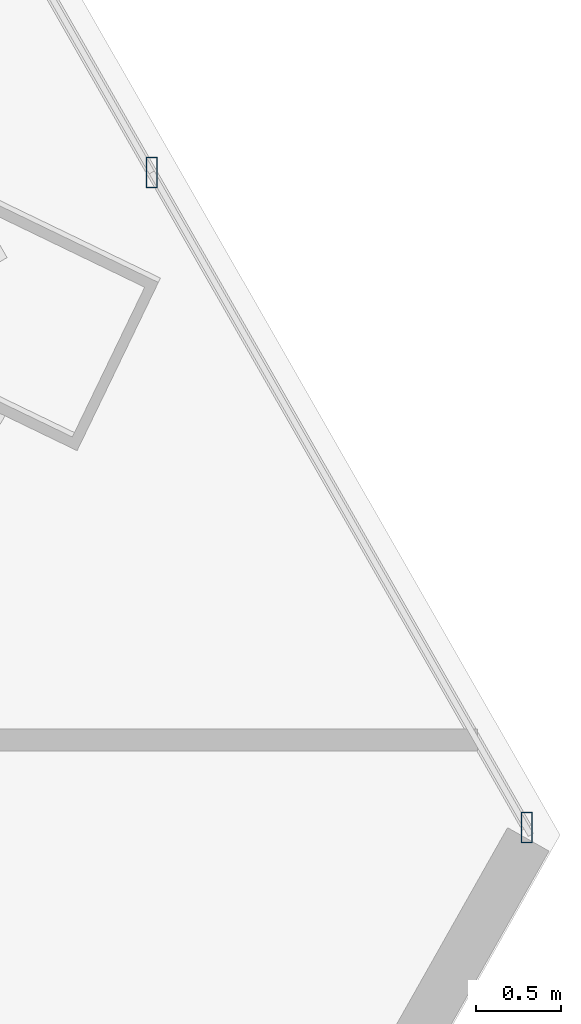
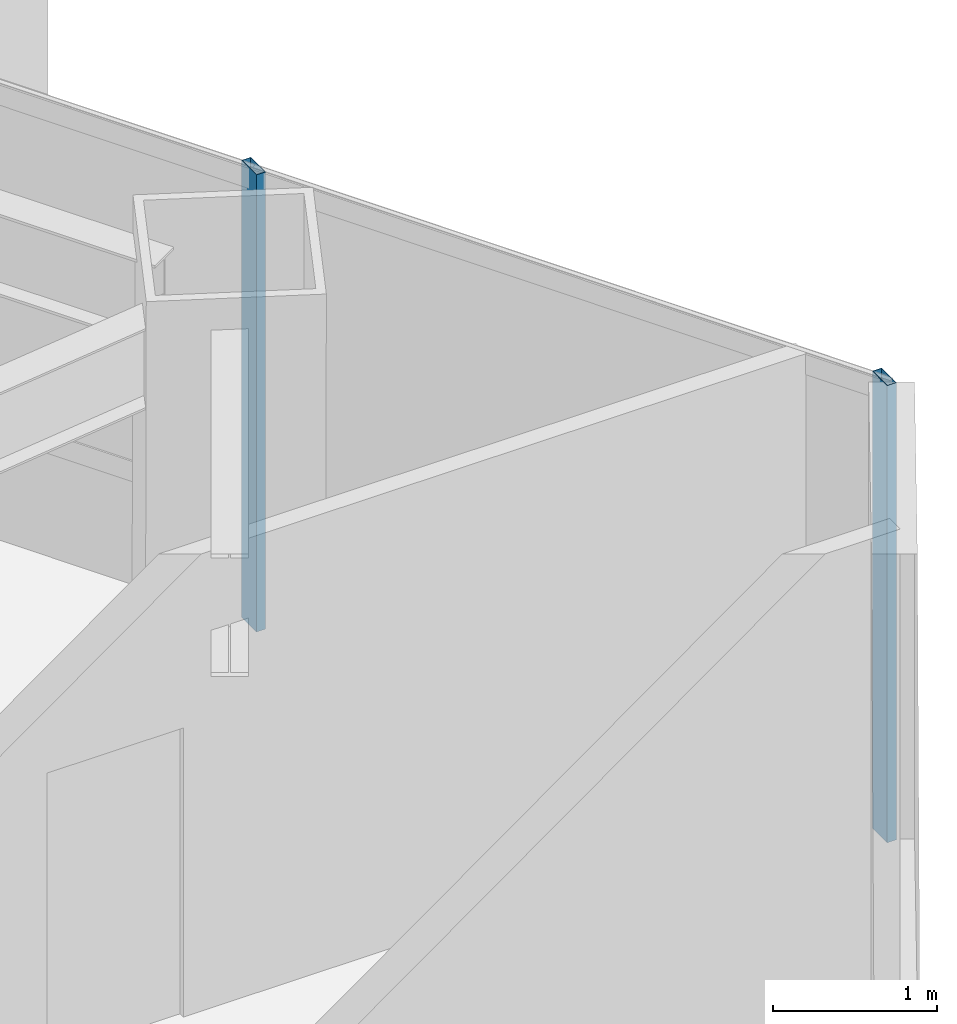
# One storey, part 19 of 35: 2 members, 1 element without a shape of its own.
"""IFC4 building model written with IfcOpenShell, lengths in metres."""

from ifc_helpers import new_model, si_unit, direction, frame, origin, origin_2d, place, context, subcontext, project, spatial, hollow_rectangle, extrude, source, transform, mapped, material, material_profile, profile_set, type_object, type_shapes, element, aggregate, save


model = new_model("IFC4")

# Units and contexts
model_context = context("Model", 3, precision=1e-05, world=origin(), true_north=direction((0.0, 1.0)))
body_context = subcontext(model_context, "Body", "Model", "MODEL_VIEW")
ifc_project = project(units=[si_unit("LENGTHUNIT", "METRE"), si_unit("AREAUNIT", "SQUARE_METRE"), si_unit("VOLUMEUNIT", "CUBIC_METRE"), si_unit("PLANEANGLEUNIT", "RADIAN"), si_unit("MASSUNIT", "GRAM", prefix="KILO")], contexts=[model_context])

# Site, building, storey
site_placement = place(None, origin())
site = spatial("IfcSite", under=ifc_project, at=site_placement, CompositionType="ELEMENT")
building_placement = place(site_placement, origin())
building = spatial("IfcBuilding", under=site, at=building_placement, Name="Caelisora Broadcast Tower", CompositionType="ELEMENT")
storey_placement = place(building_placement, frame((0.0, 0.0, 90.800048828125)))
storey = spatial("IfcBuildingStorey", under=building, at=storey_placement, Name="L23", CompositionType="ELEMENT", Elevation=90.800048828125)

# Curtain wall, members
ifc_material_1 = material(Name="Unitised Aluminium and Low-E Glass Curtain Wall", Category="glass")
curtain_wall_type = type_object("IfcCurtainWallType", Name="CW-Z2", PredefinedType="NOTDEFINED", material=ifc_material_1)
curtain_wall_placement = place(storey_placement, origin())
curtain_wall = element("IfcCurtainWall", 1, at=curtain_wall_placement, inside=storey, type_object=curtain_wall_type, Name="L23 curtain wall CW-Z2", PredefinedType="NOTDEFINED")
ifc_material_2 = material(Name="Aluminium 6063-T6 Anodised Terracotta Bronze", Category="aluminium")
ifc_material_profile = material_profile(ifc_material_2, hollow_rectangle(XDim=0.06494140625, YDim=0.179931640625, WallThickness=0.00341796875, at=origin_2d()), Name="Aluminium 6063-T6 Anodised Terracotta Bronze")
ifc_profile_set = profile_set([ifc_material_profile], Name="Aluminium 6063-T6 Anodised Terracotta Bronze")
member_type = type_object("IfcMemberType", Name="CWM-02", PredefinedType="MULLION", material=ifc_profile_set)
shared_shape = source(origin(), body_context, "Body", "SweptSolid", [
    extrude(hollow_rectangle(XDim=0.06494140625, YDim=0.179931640625, WallThickness=0.00341796875, at=origin_2d()), origin(), (0.0, 0.0, 1.0), 3.39990234375),
])
type_shapes(member_type, [shared_shape])
member_1_placement = place(storey_placement, frame((61.968994140625, 20.443603515625, 0.0), z_axis=(0.0, 0.0, 1.0), x_axis=(1.0, 0.0, 0.0)))
member_1 = element("IfcMember", 2, at=member_1_placement, type_object=member_type, Name="L23-CW-B03 mullion #2", PredefinedType="MULLION", context=body_context, shape_type="MappedRepresentation", body=[
    mapped(shared_shape, transform((0.0, 0.0, 0.0), scale=1.0)),
])
member_2_placement = place(storey_placement, frame((64.17724609375, 16.58349609375, 0.0), z_axis=(0.0, 0.0, 1.0), x_axis=(1.0, 0.0, 0.0)))
member_2 = element("IfcMember", 3, at=member_2_placement, type_object=member_type, Name="L23-CW-B03 mullion #3", PredefinedType="MULLION", context=body_context, shape_type="MappedRepresentation", body=[
    mapped(shared_shape, transform((0.0, 0.0, 0.0), scale=1.0)),
])
aggregate(curtain_wall, [member_1, member_2])

save(model, "model.ifc")
